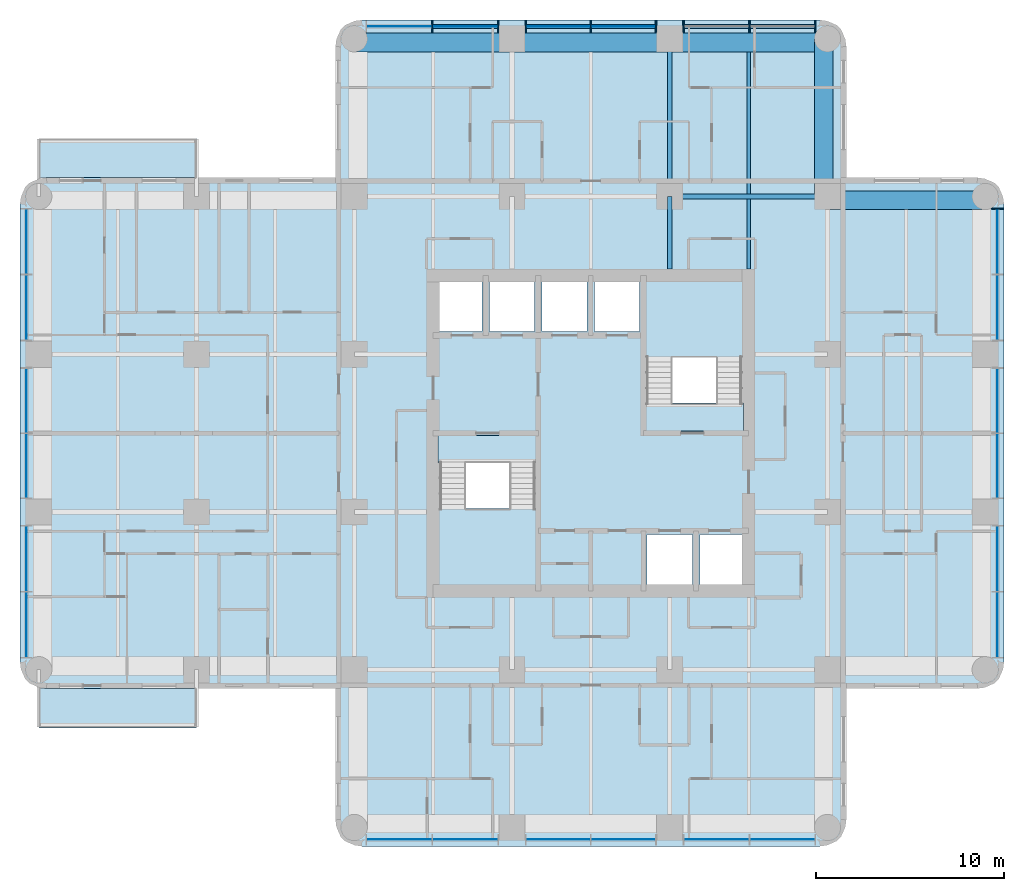
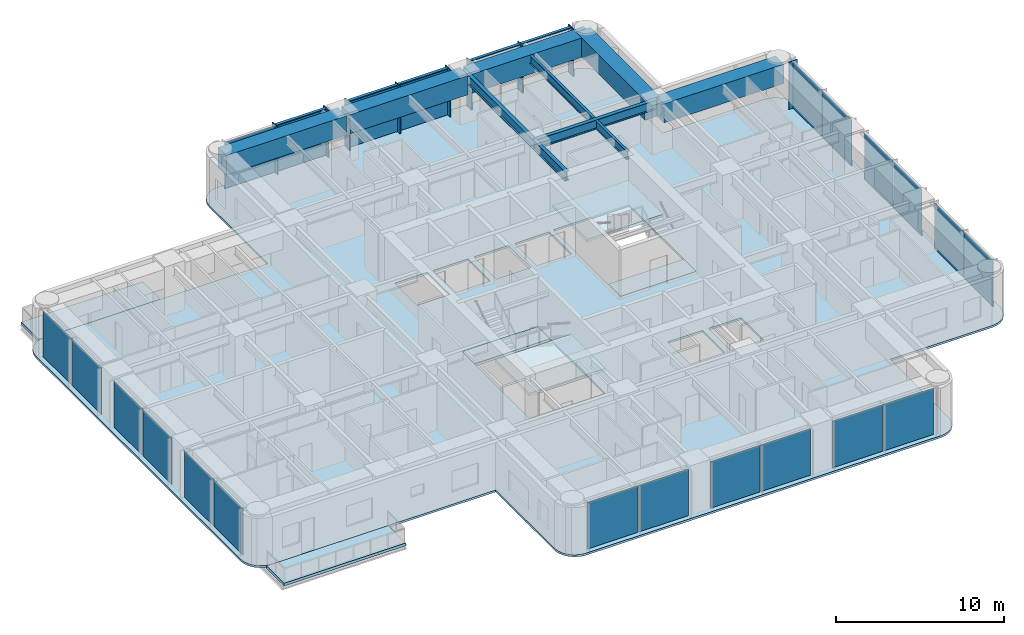
# One storey, part 3 of 11: 22 plates, 14 members, 10 beams, 7 slabs, 6 elements without a shape of their own.
"""IFC4 building model written with IfcOpenShell, lengths in metres."""

from ifc_helpers import new_model, si_unit, direction, frame, origin, origin_2d, place, context, subcontext, project, spatial, polyline, rectangle, i_section, outline, extrude, material, layer, layer_set, material_profile, profile_set, type_object, element, aggregate, save


model = new_model("IFC4")

# Units and contexts
model_context = context("Model", 3, precision=1e-05, world=origin(), true_north=direction((0.0, 1.0)))
body_context = subcontext(model_context, "Body", "Model", "MODEL_VIEW")
ifc_project = project(units=[si_unit("LENGTHUNIT", "METRE"), si_unit("AREAUNIT", "SQUARE_METRE"), si_unit("VOLUMEUNIT", "CUBIC_METRE"), si_unit("PLANEANGLEUNIT", "RADIAN"), si_unit("MASSUNIT", "GRAM", prefix="KILO")], contexts=[model_context])

# Site, building, storey
site_placement = place(None, origin())
site = spatial("IfcSite", under=ifc_project, at=site_placement, CompositionType="ELEMENT")
building_placement = place(site_placement, origin())
building = spatial("IfcBuilding", under=site, at=building_placement, Name="Torre Alcanfor", CompositionType="ELEMENT")
storey_placement = place(building_placement, frame((0.0, 0.0, 197.699951171875)))
storey = spatial("IfcBuildingStorey", under=building, at=storey_placement, Name="L51", CompositionType="ELEMENT", Elevation=197.699951171875)

# Curtain wall, member
ifc_material_1 = material(Name="Aluminium and glass", Category="aluminium")
curtain_wall_type = type_object("IfcCurtainWallType", Name="CW-A unitised apartment glazing with vertical FIN", PredefinedType="NOTDEFINED", material=ifc_material_1)
curtain_wall_1_placement = place(storey_placement, origin())
curtain_wall_1 = element("IfcCurtainWall", 1, at=curtain_wall_1_placement, inside=storey, type_object=curtain_wall_type, Name="Curtain wall CW-A L51 8", PredefinedType="NOTDEFINED")
ifc_material_2 = material(Name="Bronze anodised aluminium", Category="aluminium")
ifc_material_profile_1 = material_profile(ifc_material_2, rectangle(XDim=0.60009765625, YDim=0.06494140625, at=origin_2d()), Name="CW-A mullion 65x600")
ifc_profile_set_1 = profile_set([ifc_material_profile_1], Name="Bronze anodised aluminium")
member_type_1 = type_object("IfcMemberType", Name="CW-A mullion with vertical FIN 65x600", PredefinedType="MULLION", material=ifc_profile_set_1)
member_1_placement = place(storey_placement, frame((51.050048828125, 41.35546875, 0.0), z_axis=(0.0, 0.0, 1.0), x_axis=(-1.0, 0.0, 0.0)))
member_1 = element("IfcMember", 2, at=member_1_placement, type_object=member_type_1, Name="CW-A mullion 3.3", PredefinedType="MULLION", context=body_context, shape_type="SweptSolid", body=[
    extrude(rectangle(XDim=0.60009765625, YDim=0.06494140625, at=origin_2d()), origin(), (0.0, 0.0, 1.0), 3.449951171875),
])

# Curtain wall, members
curtain_wall_2_placement = place(storey_placement, origin())
curtain_wall_2 = element("IfcCurtainWall", 3, at=curtain_wall_2_placement, inside=storey, type_object=curtain_wall_type, Name="Curtain wall CW-A L51 11", PredefinedType="NOTDEFINED")
member_2_placement = place(storey_placement, frame((41.35546875, 51.050048828125, 0.0), z_axis=(0.0, 0.0, 1.0), x_axis=(0.0, -1.0, 0.0)))
member_2 = element("IfcMember", 4, at=member_2_placement, type_object=member_type_1, Name="CW-A mullion 1.1", PredefinedType="MULLION", context=body_context, shape_type="SweptSolid", body=[
    extrude(rectangle(XDim=0.60009765625, YDim=0.06494140625, at=origin_2d()), origin(), (0.0, 0.0, 1.0), 3.449951171875),
])
member_3_placement = place(storey_placement, frame((37.846435546875, 51.050048828125, 0.0), z_axis=(0.0, 0.0, 1.0), x_axis=(0.0, -1.0, 0.0)))
member_3 = element("IfcMember", 5, at=member_3_placement, type_object=member_type_1, Name="CW-A mullion 1.2", PredefinedType="MULLION", context=body_context, shape_type="SweptSolid", body=[
    extrude(rectangle(XDim=0.60009765625, YDim=0.06494140625, at=origin_2d()), origin(), (0.0, 0.0, 1.0), 3.449951171875),
])
member_4_placement = place(storey_placement, frame((34.33740234375, 51.050048828125, 0.0), z_axis=(0.0, 0.0, 1.0), x_axis=(0.0, -1.0, 0.0)))
member_4 = element("IfcMember", 6, at=member_4_placement, type_object=member_type_1, Name="CW-A mullion 1.3", PredefinedType="MULLION", context=body_context, shape_type="SweptSolid", body=[
    extrude(rectangle(XDim=0.60009765625, YDim=0.06494140625, at=origin_2d()), origin(), (0.0, 0.0, 1.0), 3.449951171875),
])
member_5_placement = place(storey_placement, frame((32.862548828125, 51.050048828125, 0.0), z_axis=(0.0, 0.0, 1.0), x_axis=(0.0, -1.0, 0.0)))
member_5 = element("IfcMember", 7, at=member_5_placement, type_object=member_type_1, Name="CW-A mullion 2.1", PredefinedType="MULLION", context=body_context, shape_type="SweptSolid", body=[
    extrude(rectangle(XDim=0.60009765625, YDim=0.06494140625, at=origin_2d()), origin(), (0.0, 0.0, 1.0), 3.449951171875),
])
member_6_placement = place(storey_placement, frame((29.39990234375, 51.050048828125, 0.0), z_axis=(0.0, 0.0, 1.0), x_axis=(0.0, -1.0, 0.0)))
member_6 = element("IfcMember", 8, at=member_6_placement, type_object=member_type_1, Name="CW-A mullion 2.2", PredefinedType="MULLION", context=body_context, shape_type="SweptSolid", body=[
    extrude(rectangle(XDim=0.60009765625, YDim=0.06494140625, at=origin_2d()), origin(), (0.0, 0.0, 1.0), 3.449951171875),
])
member_7_placement = place(storey_placement, frame((25.9375, 51.050048828125, 0.0), z_axis=(0.0, 0.0, 1.0), x_axis=(0.0, -1.0, 0.0)))
member_7 = element("IfcMember", 9, at=member_7_placement, type_object=member_type_1, Name="CW-A mullion 2.3", PredefinedType="MULLION", context=body_context, shape_type="SweptSolid", body=[
    extrude(rectangle(XDim=0.60009765625, YDim=0.06494140625, at=origin_2d()), origin(), (0.0, 0.0, 1.0), 3.449951171875),
])
member_8_placement = place(storey_placement, frame((24.46240234375, 51.050048828125, 0.0), z_axis=(0.0, 0.0, 1.0), x_axis=(0.0, -1.0, 0.0)))
member_8 = element("IfcMember", 10, at=member_8_placement, type_object=member_type_1, Name="CW-A mullion 3.1", PredefinedType="MULLION", context=body_context, shape_type="SweptSolid", body=[
    extrude(rectangle(XDim=0.60009765625, YDim=0.06494140625, at=origin_2d()), origin(), (0.0, 0.0, 1.0), 3.449951171875),
])
member_9_placement = place(storey_placement, frame((20.95361328125, 51.050048828125, 0.0), z_axis=(0.0, 0.0, 1.0), x_axis=(0.0, -1.0, 0.0)))
member_9 = element("IfcMember", 11, at=member_9_placement, type_object=member_type_1, Name="CW-A mullion 3.2", PredefinedType="MULLION", context=body_context, shape_type="SweptSolid", body=[
    extrude(rectangle(XDim=0.60009765625, YDim=0.06494140625, at=origin_2d()), origin(), (0.0, 0.0, 1.0), 3.449951171875),
])
ifc_material_3 = material(Name="Extruded aluminium", Category="aluminium")
ifc_material_profile_2 = material_profile(ifc_material_3, rectangle(XDim=0.199951171875, YDim=0.06494140625, at=origin_2d()), Name="CW-A transom 200x65")
ifc_profile_set_2 = profile_set([ifc_material_profile_2], Name="Extruded aluminium")
member_type_2 = type_object("IfcMemberType", Name="CW-A transom 65x200", PredefinedType="USERDEFINED", material=ifc_profile_set_2)
member_10_placement = place(storey_placement, frame((41.322998046875, 51.050048828125, 3.41748046875), z_axis=(-1.0, 0.0, 0.0), x_axis=(0.0, -1.0, 0.0)))
member_10 = element("IfcMember", 12, at=member_10_placement, type_object=member_type_2, Name="CW-A transom 1.1.2", ObjectType="TRANSOM", PredefinedType="USERDEFINED", context=body_context, shape_type="SweptSolid", body=[
    extrude(rectangle(XDim=0.199951171875, YDim=0.06494140625, at=origin_2d()), origin(), (0.0, 0.0, 1.0), 3.444091796875),
])
member_11_placement = place(storey_placement, frame((37.81396484375, 51.050048828125, 3.41748046875), z_axis=(-1.0, 0.0, 0.0), x_axis=(0.0, -1.0, 0.0)))
member_11 = element("IfcMember", 13, at=member_11_placement, type_object=member_type_2, Name="CW-A transom 1.2.2", ObjectType="TRANSOM", PredefinedType="USERDEFINED", context=body_context, shape_type="SweptSolid", body=[
    extrude(rectangle(XDim=0.199951171875, YDim=0.06494140625, at=origin_2d()), origin(), (0.0, 0.0, 1.0), 3.44384765625),
])
member_12_placement = place(storey_placement, frame((32.830078125, 51.050048828125, 3.41748046875), z_axis=(-1.0, 0.0, 0.0), x_axis=(0.0, -1.0, 0.0)))
member_12 = element("IfcMember", 14, at=member_12_placement, type_object=member_type_2, Name="CW-A transom 2.1.2", ObjectType="TRANSOM", PredefinedType="USERDEFINED", context=body_context, shape_type="SweptSolid", body=[
    extrude(rectangle(XDim=0.199951171875, YDim=0.06494140625, at=origin_2d()), origin(), (0.0, 0.0, 1.0), 3.3974609375),
])
member_13_placement = place(storey_placement, frame((29.367431640625, 51.050048828125, 3.41748046875), z_axis=(-1.0, 0.0, 0.0), x_axis=(0.0, -1.0, 0.0)))
member_13 = element("IfcMember", 15, at=member_13_placement, type_object=member_type_2, Name="CW-A transom 2.2.2", ObjectType="TRANSOM", PredefinedType="USERDEFINED", context=body_context, shape_type="SweptSolid", body=[
    extrude(rectangle(XDim=0.199951171875, YDim=0.06494140625, at=origin_2d()), origin(), (0.0, 0.0, 1.0), 3.3974609375),
])
member_14_placement = place(storey_placement, frame((24.429931640625, 51.050048828125, 3.41748046875), z_axis=(-1.0, 0.0, 0.0), x_axis=(0.0, -1.0, 0.0)))
member_14 = element("IfcMember", 16, at=member_14_placement, type_object=member_type_2, Name="CW-A transom 3.1.2", ObjectType="TRANSOM", PredefinedType="USERDEFINED", context=body_context, shape_type="SweptSolid", body=[
    extrude(rectangle(XDim=0.199951171875, YDim=0.06494140625, at=origin_2d()), origin(), (0.0, 0.0, 1.0), 3.44384765625),
])

# Beams
ifc_material_4 = material(Name="Steel ASTM A992 Grade 50", Category="steel")
ifc_material_profile_3 = material_profile(ifc_material_4, i_section(OverallWidth=0.25390625, OverallDepth=0.683349609375, WebThickness=0.012451171875, FlangeThickness=0.01904296875, at=origin_2d()), Name="W27x94")
ifc_profile_set_3 = profile_set([ifc_material_profile_3], Name="Steel ASTM A992 Grade 50")
beam_type_1 = type_object("IfcBeamType", Name="Girder W27x94", PredefinedType="BEAM", material=ifc_profile_set_3)
for number, where, z_axis, x_axis, name in (
    (17, (33.60009765625, 42.0, 3.1083984375), (1.0, 0.0, 0.0), (0.0, 1.0, 0.0), "Beam 5H-6H under L52"),
    (18, (33.60009765625, 42.0, 3.1083984375), (0.0, 1.0, 0.0), (-1.0, 0.0, 0.0), "Beam 5H-5J under L52"),
):
    element("IfcBeam", number, at=place(storey_placement, frame(where, z_axis=z_axis, x_axis=x_axis)), inside=storey, type_object=beam_type_1, Name=name, PredefinedType="BEAM", context=body_context, shape_type="SweptSolid", body=[
        extrude(i_section(OverallWidth=0.25390625, OverallDepth=0.683349609375, WebThickness=0.012451171875, FlangeThickness=0.01904296875, at=origin_2d()), origin(), (0.0, 0.0, 1.0), 8.39990234375),
    ])
ifc_material_5 = material(Name="Steel ASTM A992 Grade 50", Category="steel")
ifc_material_profile_4 = material_profile(ifc_material_5, i_section(OverallWidth=0.25390625, OverallDepth=0.683349609375, WebThickness=0.012451171875, FlangeThickness=0.01904296875, at=origin_2d()), Name="W27x94")
ifc_profile_set_4 = profile_set([ifc_material_profile_4], Name="Steel ASTM A992 Grade 50")
beam_type_2 = type_object("IfcBeamType", Name="Girder, part bay W27x94", PredefinedType="BEAM", material=ifc_profile_set_4)
beam_1_placement = place(storey_placement, frame((33.60009765625, 42.0, 3.1083984375), z_axis=(0.0, -1.0, 0.0), x_axis=(1.0, 0.0, 0.0)))
element("IfcBeam", 19, at=beam_1_placement, inside=storey, type_object=beam_type_2, Name="Beam 5H-538_15 under L52", PredefinedType="BEAM", context=body_context, shape_type="SweptSolid", body=[
    extrude(i_section(OverallWidth=0.25390625, OverallDepth=0.683349609375, WebThickness=0.012451171875, FlangeThickness=0.01904296875, at=origin_2d()), origin(), (0.0, 0.0, 1.0), 3.85009765625),
])
ifc_material_6 = material(Name="Concrete f'c 70 MPa", Category="concrete")
ifc_material_profile_5 = material_profile(ifc_material_6, rectangle(XDim=1.0, YDim=1.39990234375, at=origin_2d()), Name="1000x1400")
ifc_profile_set_5 = profile_set([ifc_material_profile_5], Name="Concrete f'c 70 MPa")
beam_type_3 = type_object("IfcBeamType", Name="RC perimeter beam 1000x1400", PredefinedType="BEAM", material=ifc_profile_set_5)
for number, where, z_axis, x_axis, name in (
    (20, (42.126953125, 41.800048828125, 2.75), (1.0, 0.0, 0.0), (0.0, 1.0, 0.0), "Beam 6H-7H under L52"),
    (21, (16.800048828125, 50.199951171875, 2.75), (1.0, 0.0, 0.0), (0.0, 1.0, 0.0), "Beam 3J-4J under L52"),
):
    element("IfcBeam", number, at=place(storey_placement, frame(where, z_axis=z_axis, x_axis=x_axis)), inside=storey, type_object=beam_type_3, Name=name, PredefinedType="BEAM", context=body_context, shape_type="SweptSolid", body=[
        extrude(rectangle(XDim=1.0, YDim=1.39990234375, at=origin_2d()), origin(), (0.0, 0.0, 1.0), 8.27294921875),
    ])
beam_2_placement = place(storey_placement, frame((25.326904296875, 50.199951171875, 2.75), z_axis=(1.0, 0.0, 0.0), x_axis=(0.0, 1.0, 0.0)))
element("IfcBeam", 22, at=beam_2_placement, inside=storey, type_object=beam_type_3, Name="Beam 4J-5J under L52", PredefinedType="BEAM", context=body_context, shape_type="SweptSolid", body=[
    extrude(rectangle(XDim=1.0, YDim=1.39990234375, at=origin_2d()), origin(), (0.0, 0.0, 1.0), 8.14599609375),
])
for number, where, z_axis, x_axis, name in (
    (23, (33.72705078125, 50.199951171875, 2.75), (1.0, 0.0, 0.0), (0.0, 1.0, 0.0), "Beam 5J-6J under L52"),
    (24, (41.800048828125, 42.126953125, 2.75), (0.0, 1.0, 0.0), (-1.0, 0.0, 0.0), "Beam 6H-6J under L52"),
):
    element("IfcBeam", number, at=place(storey_placement, frame(where, z_axis=z_axis, x_axis=x_axis)), inside=storey, type_object=beam_type_3, Name=name, PredefinedType="BEAM", context=body_context, shape_type="SweptSolid", body=[
        extrude(rectangle(XDim=1.0, YDim=1.39990234375, at=origin_2d()), origin(), (0.0, 0.0, 1.0), 8.27294921875),
    ])
ifc_material_7 = material(Name="Steel ASTM A992 Grade 50", Category="steel")
ifc_material_profile_6 = material_profile(ifc_material_7, i_section(OverallWidth=0.1787109375, OverallDepth=0.60205078125, WebThickness=0.010986328125, FlangeThickness=0.014892578125, at=origin_2d()), Name="W24x62")
ifc_profile_set_6 = profile_set([ifc_material_profile_6], Name="Steel ASTM A992 Grade 50")
beam_type_4 = type_object("IfcBeamType", Name="Secondary beam W24x62", PredefinedType="BEAM", material=ifc_profile_set_6)
beam_3_placement = place(storey_placement, frame((37.800048828125, 42.126953125, 3.149169921875), z_axis=(0.0, 1.0, 0.0), x_axis=(-1.0, 0.0, 0.0)))
element("IfcBeam", 25, at=beam_3_placement, inside=storey, type_object=beam_type_4, Name="Beam 37_8H-37_8J under L52", PredefinedType="BEAM", context=body_context, shape_type="SweptSolid", body=[
    extrude(i_section(OverallWidth=0.1787109375, OverallDepth=0.60205078125, WebThickness=0.010986328125, FlangeThickness=0.014892578125, at=origin_2d()), origin(), (0.0, 0.0, 1.0), 7.572998046875),
])
ifc_material_8 = material(Name="Steel ASTM A992 Grade 50", Category="steel")
ifc_material_profile_7 = material_profile(ifc_material_8, i_section(OverallWidth=0.1787109375, OverallDepth=0.60205078125, WebThickness=0.010986328125, FlangeThickness=0.014892578125, at=origin_2d()), Name="W24x62")
ifc_profile_set_7 = profile_set([ifc_material_profile_7], Name="Steel ASTM A992 Grade 50")
beam_type_5 = type_object("IfcBeamType", Name="Secondary beam, part bay W24x62", PredefinedType="BEAM", material=ifc_profile_set_7)
beam_4_placement = place(storey_placement, frame((37.800048828125, 38.14990234375, 3.149169921875), z_axis=(0.0, 1.0, 0.0), x_axis=(-1.0, 0.0, 0.0)))
element("IfcBeam", 26, at=beam_4_placement, inside=storey, type_object=beam_type_5, Name="Beam 37_838_15-37_8H under L52", PredefinedType="BEAM", context=body_context, shape_type="SweptSolid", body=[
    extrude(i_section(OverallWidth=0.1787109375, OverallDepth=0.60205078125, WebThickness=0.010986328125, FlangeThickness=0.014892578125, at=origin_2d()), origin(), (0.0, 0.0, 1.0), 3.72314453125),
])

# Slabs
ifc_material_9 = material(Name="Concrete f'c 35 MPa", Category="concrete")
ifc_layer_1 = layer(ifc_material_9, 0.199951171875)
ifc_layer_set_1 = layer_set([ifc_layer_1], Name="Balcony slab 200")
slab_type_1 = type_object("IfcSlabType", Name="Balcony slab 200", PredefinedType="FLOOR", material=ifc_layer_set_1)
slab_1_placement = place(storey_placement, frame((0.0, 0.0, -0.199951171875)))
element("IfcSlab", 27, at=slab_1_placement, inside=storey, type_object=slab_type_1, Name="Balcony L51-W1", PredefinedType="FLOOR", context=body_context, shape_type="SweptSolid", body=[
    extrude(outline(polyline([(8.39990234375, 15.800048828125), (0.0, 15.800048828125), (0.0, 13.699951171875), (8.39990234375, 13.699951171875), (8.39990234375, 15.800048828125)])), origin(), (0.0, 0.0, 1.0), 0.199951171875),
])
slab_2_placement = place(storey_placement, frame((0.0, 0.0, -0.199951171875)))
element("IfcSlab", 28, at=slab_2_placement, inside=storey, type_object=slab_type_1, Name="Balcony L51-W2", PredefinedType="FLOOR", context=body_context, shape_type="SweptSolid", body=[
    extrude(outline(polyline([(8.39990234375, 45.10009765625), (0.0, 45.10009765625), (0.0, 43.0), (8.39990234375, 43.0), (8.39990234375, 45.10009765625)])), origin(), (0.0, 0.0, 1.0), 0.199951171875),
])

# Curtain wall, plates
curtain_wall_3_placement = place(storey_placement, origin())
curtain_wall_3 = element("IfcCurtainWall", 29, at=curtain_wall_3_placement, inside=storey, type_object=curtain_wall_type, Name="Curtain wall CW-A L51 2", PredefinedType="NOTDEFINED")
ifc_material_10 = material(Name="Glass", Category="glass")
ifc_layer_2 = layer(ifc_material_10, 0.028076171875)
ifc_layer_set_2 = layer_set([ifc_layer_2], Name="CW-A clear double glazed unit")
plate_type = type_object("IfcPlateType", Name="CW-A clear double glazed unit", PredefinedType="CURTAIN_PANEL", material=ifc_layer_set_2)
plate_1_placement = place(storey_placement, frame((-0.64990234375, 39.60107421875, 0.0), z_axis=(0.0, 0.0, 1.0), x_axis=(0.0, -1.0, 0.0)))
plate_1 = element("IfcPlate", 30, at=plate_1_placement, type_object=plate_type, Name="CW-A panel 1.1.1", PredefinedType="CURTAIN_PANEL", context=body_context, shape_type="SweptSolid", body=[
    extrude(rectangle(XDim=3.444091796875, YDim=0.028076171875, at=origin_2d()), origin(), (0.0, 0.0, 1.0), 3.385009765625),
])
plate_2_placement = place(storey_placement, frame((-0.64990234375, 36.092041015625, 0.0), z_axis=(0.0, 0.0, 1.0), x_axis=(0.0, -1.0, 0.0)))
plate_2 = element("IfcPlate", 31, at=plate_2_placement, type_object=plate_type, Name="CW-A panel 1.2.1", PredefinedType="CURTAIN_PANEL", context=body_context, shape_type="SweptSolid", body=[
    extrude(rectangle(XDim=3.444091796875, YDim=0.028076171875, at=origin_2d()), origin(), (0.0, 0.0, 1.0), 3.385009765625),
])
plate_3_placement = place(storey_placement, frame((-0.64990234375, 31.13134765625, 0.0), z_axis=(0.0, 0.0, 1.0), x_axis=(0.0, -1.0, 0.0)))
plate_3 = element("IfcPlate", 32, at=plate_3_placement, type_object=plate_type, Name="CW-A panel 2.1.1", PredefinedType="CURTAIN_PANEL", context=body_context, shape_type="SweptSolid", body=[
    extrude(rectangle(XDim=3.3974609375, YDim=0.028076171875, at=origin_2d()), origin(), (0.0, 0.0, 1.0), 3.385009765625),
])
plate_4_placement = place(storey_placement, frame((-0.64990234375, 27.668701171875, 0.0), z_axis=(0.0, 0.0, 1.0), x_axis=(0.0, -1.0, 0.0)))
plate_4 = element("IfcPlate", 33, at=plate_4_placement, type_object=plate_type, Name="CW-A panel 2.2.1", PredefinedType="CURTAIN_PANEL", context=body_context, shape_type="SweptSolid", body=[
    extrude(rectangle(XDim=3.3974609375, YDim=0.028076171875, at=origin_2d()), origin(), (0.0, 0.0, 1.0), 3.385009765625),
])
plate_5_placement = place(storey_placement, frame((-0.64990234375, 22.7080078125, 0.0), z_axis=(0.0, 0.0, 1.0), x_axis=(0.0, -1.0, 0.0)))
plate_5 = element("IfcPlate", 34, at=plate_5_placement, type_object=plate_type, Name="CW-A panel 3.1.1", PredefinedType="CURTAIN_PANEL", context=body_context, shape_type="SweptSolid", body=[
    extrude(rectangle(XDim=3.444091796875, YDim=0.028076171875, at=origin_2d()), origin(), (0.0, 0.0, 1.0), 3.385009765625),
])
plate_6_placement = place(storey_placement, frame((-0.64990234375, 19.198974609375, 0.0), z_axis=(0.0, 0.0, 1.0), x_axis=(0.0, -1.0, 0.0)))
plate_6 = element("IfcPlate", 35, at=plate_6_placement, type_object=plate_type, Name="CW-A panel 3.2.1", PredefinedType="CURTAIN_PANEL", context=body_context, shape_type="SweptSolid", body=[
    extrude(rectangle(XDim=3.444091796875, YDim=0.028076171875, at=origin_2d()), origin(), (0.0, 0.0, 1.0), 3.385009765625),
])
aggregate(curtain_wall_3, [plate_1, plate_2, plate_3, plate_4, plate_5, plate_6])

curtain_wall_4_placement = place(storey_placement, origin())
curtain_wall_4 = element("IfcCurtainWall", 36, at=curtain_wall_4_placement, inside=storey, type_object=curtain_wall_type, Name="Curtain wall CW-A L51 5", PredefinedType="NOTDEFINED")
plate_7_placement = place(storey_placement, frame((19.198974609375, 7.75, 0.0), z_axis=(0.0, 0.0, 1.0), x_axis=(1.0, 0.0, 0.0)))
plate_7 = element("IfcPlate", 37, at=plate_7_placement, type_object=plate_type, Name="CW-A panel 1.1.1", PredefinedType="CURTAIN_PANEL", context=body_context, shape_type="SweptSolid", body=[
    extrude(rectangle(XDim=3.444091796875, YDim=0.028076171875, at=origin_2d()), origin(), (0.0, 0.0, 1.0), 3.385009765625),
])
plate_8_placement = place(storey_placement, frame((22.7080078125, 7.75, 0.0), z_axis=(0.0, 0.0, 1.0), x_axis=(1.0, 0.0, 0.0)))
plate_8 = element("IfcPlate", 38, at=plate_8_placement, type_object=plate_type, Name="CW-A panel 1.2.1", PredefinedType="CURTAIN_PANEL", context=body_context, shape_type="SweptSolid", body=[
    extrude(rectangle(XDim=3.444091796875, YDim=0.028076171875, at=origin_2d()), origin(), (0.0, 0.0, 1.0), 3.385009765625),
])
plate_9_placement = place(storey_placement, frame((27.668701171875, 7.75, 0.0), z_axis=(0.0, 0.0, 1.0), x_axis=(1.0, 0.0, 0.0)))
plate_9 = element("IfcPlate", 39, at=plate_9_placement, type_object=plate_type, Name="CW-A panel 2.1.1", PredefinedType="CURTAIN_PANEL", context=body_context, shape_type="SweptSolid", body=[
    extrude(rectangle(XDim=3.3974609375, YDim=0.028076171875, at=origin_2d()), origin(), (0.0, 0.0, 1.0), 3.385009765625),
])
plate_10_placement = place(storey_placement, frame((31.13134765625, 7.75, 0.0), z_axis=(0.0, 0.0, 1.0), x_axis=(1.0, 0.0, 0.0)))
plate_10 = element("IfcPlate", 40, at=plate_10_placement, type_object=plate_type, Name="CW-A panel 2.2.1", PredefinedType="CURTAIN_PANEL", context=body_context, shape_type="SweptSolid", body=[
    extrude(rectangle(XDim=3.3974609375, YDim=0.028076171875, at=origin_2d()), origin(), (0.0, 0.0, 1.0), 3.385009765625),
])
plate_11_placement = place(storey_placement, frame((36.092041015625, 7.75, 0.0), z_axis=(0.0, 0.0, 1.0), x_axis=(1.0, 0.0, 0.0)))
plate_11 = element("IfcPlate", 41, at=plate_11_placement, type_object=plate_type, Name="CW-A panel 3.1.1", PredefinedType="CURTAIN_PANEL", context=body_context, shape_type="SweptSolid", body=[
    extrude(rectangle(XDim=3.444091796875, YDim=0.028076171875, at=origin_2d()), origin(), (0.0, 0.0, 1.0), 3.385009765625),
])
plate_12_placement = place(storey_placement, frame((39.60107421875, 7.75, 0.0), z_axis=(0.0, 0.0, 1.0), x_axis=(1.0, 0.0, 0.0)))
plate_12 = element("IfcPlate", 42, at=plate_12_placement, type_object=plate_type, Name="CW-A panel 3.2.1", PredefinedType="CURTAIN_PANEL", context=body_context, shape_type="SweptSolid", body=[
    extrude(rectangle(XDim=3.444091796875, YDim=0.028076171875, at=origin_2d()), origin(), (0.0, 0.0, 1.0), 3.385009765625),
])
aggregate(curtain_wall_4, [plate_7, plate_8, plate_9, plate_10, plate_11, plate_12])

# Plate
plate_13_placement = place(storey_placement, frame((51.050048828125, 19.198974609375, 0.0), z_axis=(0.0, 0.0, 1.0), x_axis=(0.0, 1.0, 0.0)))
plate_13 = element("IfcPlate", 43, at=plate_13_placement, type_object=plate_type, Name="CW-A panel 1.1.1", PredefinedType="CURTAIN_PANEL", context=body_context, shape_type="SweptSolid", body=[
    extrude(rectangle(XDim=3.444091796875, YDim=0.028076171875, at=origin_2d()), origin(), (0.0, 0.0, 1.0), 3.385009765625),
])

plate_14_placement = place(storey_placement, frame((51.050048828125, 22.7080078125, 0.0), z_axis=(0.0, 0.0, 1.0), x_axis=(0.0, 1.0, 0.0)))
plate_14 = element("IfcPlate", 44, at=plate_14_placement, type_object=plate_type, Name="CW-A panel 1.2.1", PredefinedType="CURTAIN_PANEL", context=body_context, shape_type="SweptSolid", body=[
    extrude(rectangle(XDim=3.444091796875, YDim=0.028076171875, at=origin_2d()), origin(), (0.0, 0.0, 1.0), 3.385009765625),
])

plate_15_placement = place(storey_placement, frame((51.050048828125, 27.668701171875, 0.0), z_axis=(0.0, 0.0, 1.0), x_axis=(0.0, 1.0, 0.0)))
plate_15 = element("IfcPlate", 45, at=plate_15_placement, type_object=plate_type, Name="CW-A panel 2.1.1", PredefinedType="CURTAIN_PANEL", context=body_context, shape_type="SweptSolid", body=[
    extrude(rectangle(XDim=3.3974609375, YDim=0.028076171875, at=origin_2d()), origin(), (0.0, 0.0, 1.0), 3.385009765625),
])

plate_16_placement = place(storey_placement, frame((51.050048828125, 31.13134765625, 0.0), z_axis=(0.0, 0.0, 1.0), x_axis=(0.0, 1.0, 0.0)))
plate_16 = element("IfcPlate", 46, at=plate_16_placement, type_object=plate_type, Name="CW-A panel 2.2.1", PredefinedType="CURTAIN_PANEL", context=body_context, shape_type="SweptSolid", body=[
    extrude(rectangle(XDim=3.3974609375, YDim=0.028076171875, at=origin_2d()), origin(), (0.0, 0.0, 1.0), 3.385009765625),
])

plate_17_placement = place(storey_placement, frame((51.050048828125, 36.092041015625, 0.0), z_axis=(0.0, 0.0, 1.0), x_axis=(0.0, 1.0, 0.0)))
plate_17 = element("IfcPlate", 47, at=plate_17_placement, type_object=plate_type, Name="CW-A panel 3.1.1", PredefinedType="CURTAIN_PANEL", context=body_context, shape_type="SweptSolid", body=[
    extrude(rectangle(XDim=3.444091796875, YDim=0.028076171875, at=origin_2d()), origin(), (0.0, 0.0, 1.0), 3.385009765625),
])

plate_18_placement = place(storey_placement, frame((51.050048828125, 39.60107421875, 0.0), z_axis=(0.0, 0.0, 1.0), x_axis=(0.0, 1.0, 0.0)))
plate_18 = element("IfcPlate", 48, at=plate_18_placement, type_object=plate_type, Name="CW-A panel 3.2.1", PredefinedType="CURTAIN_PANEL", context=body_context, shape_type="SweptSolid", body=[
    extrude(rectangle(XDim=3.444091796875, YDim=0.028076171875, at=origin_2d()), origin(), (0.0, 0.0, 1.0), 3.385009765625),
])

aggregate(curtain_wall_1, [plate_13, plate_14, plate_15, plate_16, member_1, plate_17, plate_18])

plate_19_placement = place(storey_placement, frame((31.13134765625, 51.050048828125, 0.0), z_axis=(0.0, 0.0, 1.0), x_axis=(-1.0, 0.0, 0.0)))
plate_19 = element("IfcPlate", 49, at=plate_19_placement, type_object=plate_type, Name="CW-A panel 2.1.1", PredefinedType="CURTAIN_PANEL", context=body_context, shape_type="SweptSolid", body=[
    extrude(rectangle(XDim=3.3974609375, YDim=0.028076171875, at=origin_2d()), origin(), (0.0, 0.0, 1.0), 3.385009765625),
])

plate_20_placement = place(storey_placement, frame((27.668701171875, 51.050048828125, 0.0), z_axis=(0.0, 0.0, 1.0), x_axis=(-1.0, 0.0, 0.0)))
plate_20 = element("IfcPlate", 50, at=plate_20_placement, type_object=plate_type, Name="CW-A panel 2.2.1", PredefinedType="CURTAIN_PANEL", context=body_context, shape_type="SweptSolid", body=[
    extrude(rectangle(XDim=3.3974609375, YDim=0.028076171875, at=origin_2d()), origin(), (0.0, 0.0, 1.0), 3.385009765625),
])

plate_21_placement = place(storey_placement, frame((22.7080078125, 51.050048828125, 0.0), z_axis=(0.0, 0.0, 1.0), x_axis=(-1.0, 0.0, 0.0)))
plate_21 = element("IfcPlate", 51, at=plate_21_placement, type_object=plate_type, Name="CW-A panel 3.1.1", PredefinedType="CURTAIN_PANEL", context=body_context, shape_type="SweptSolid", body=[
    extrude(rectangle(XDim=3.444091796875, YDim=0.028076171875, at=origin_2d()), origin(), (0.0, 0.0, 1.0), 3.385009765625),
])

plate_22_placement = place(storey_placement, frame((19.198974609375, 51.050048828125, 0.0), z_axis=(0.0, 0.0, 1.0), x_axis=(-1.0, 0.0, 0.0)))
plate_22 = element("IfcPlate", 52, at=plate_22_placement, type_object=plate_type, Name="CW-A panel 3.2.1", PredefinedType="CURTAIN_PANEL", context=body_context, shape_type="SweptSolid", body=[
    extrude(rectangle(XDim=3.444091796875, YDim=0.028076171875, at=origin_2d()), origin(), (0.0, 0.0, 1.0), 3.385009765625),
])

aggregate(curtain_wall_2, [member_2, member_3, member_4, member_10, member_11, member_5, member_6, member_7, member_12, plate_19, member_13, plate_20, member_8, member_9, member_14, plate_21, plate_22])

# Slab
ifc_material_11 = material(Name="Concrete f'c 35 MPa", Category="concrete")
ifc_layer_3 = layer(ifc_material_11, 0.14990234375)
ifc_layer_set_3 = layer_set([ifc_layer_3], Name="Composite floor 150 on metal deck")
slab_type_2 = type_object("IfcSlabType", Name="Composite floor 150 on metal deck", PredefinedType="FLOOR", material=ifc_layer_set_3)
slab_3_placement = place(storey_placement, frame((0.0, 0.0, -0.14990234375)))
element("IfcSlab", 53, at=slab_3_placement, inside=storey, type_object=slab_type_2, Name="Floor slab L51", PredefinedType="FLOOR", context=body_context, shape_type="SweptSolid", body=[
    extrude(outline(polyline([(15.800048828125, 43.0), (0.39990234375, 43.0), (0.03759765625, 42.952392578125), (-0.300048828125, 42.8125), (-0.58984375, 42.58984375), (-0.8125, 42.300048828125), (-0.952392578125, 41.96240234375), (-1.0, 41.60009765625), (-1.0, 17.199951171875), (-0.952392578125, 16.837646484375), (-0.8125, 16.5), (-0.58984375, 16.210205078125), (-0.300048828125, 15.987548828125), (0.03759765625, 15.84765625), (0.39990234375, 15.800048828125), (15.800048828125, 15.800048828125), (15.800048828125, 8.800048828125), (15.84765625, 8.437744140625), (15.987548828125, 8.10009765625), (16.210205078125, 7.81005859375), (16.5, 7.587646484375), (16.837646484375, 7.44775390625), (17.199951171875, 7.39990234375), (41.60009765625, 7.39990234375), (41.96240234375, 7.44775390625), (42.300048828125, 7.587646484375), (42.58984375, 7.81005859375), (42.8125, 8.10009765625), (42.952392578125, 8.437744140625), (43.0, 8.800048828125), (43.0, 15.800048828125), (50.0, 15.800048828125), (50.3623046875, 15.84765625), (50.699951171875, 15.987548828125), (50.989990234375, 16.210205078125), (51.21240234375, 16.5), (51.352294921875, 16.837646484375), (51.39990234375, 17.199951171875), (51.39990234375, 41.60009765625), (51.352294921875, 41.96240234375), (51.21240234375, 42.300048828125), (50.989990234375, 42.58984375), (50.699951171875, 42.8125), (50.3623046875, 42.952392578125), (50.0, 43.0), (43.0, 43.0), (43.0, 50.0), (42.952392578125, 50.3623046875), (42.8125, 50.699951171875), (42.58984375, 50.989990234375), (42.300048828125, 51.21240234375), (41.96240234375, 51.352294921875), (41.60009765625, 51.39990234375), (17.199951171875, 51.39990234375), (16.837646484375, 51.352294921875), (16.5, 51.21240234375), (16.210205078125, 50.989990234375), (15.987548828125, 50.699951171875), (15.84765625, 50.3623046875), (15.800048828125, 50.0), (15.800048828125, 43.0)]), holes=[polyline([(21.27001953125, 21.27001953125), (26.47998046875, 21.27001953125), (26.47998046875, 29.280029296875), (21.27001953125, 29.280029296875), (21.27001953125, 21.27001953125)]), polyline([(32.320068359375, 29.52001953125), (37.530029296875, 29.52001953125), (37.530029296875, 37.530029296875), (32.320068359375, 37.530029296875), (32.320068359375, 29.52001953125)]), polyline([(32.39990234375, 21.35009765625), (34.800048828125, 21.35009765625), (34.800048828125, 24.0), (32.39990234375, 24.0), (32.39990234375, 21.35009765625)]), polyline([(35.199951171875, 21.35009765625), (37.449951171875, 21.35009765625), (37.449951171875, 24.0), (35.199951171875, 24.0), (35.199951171875, 21.35009765625)]), polyline([(21.35009765625, 34.800048828125), (23.60009765625, 34.800048828125), (23.60009765625, 37.449951171875), (21.35009765625, 37.449951171875), (21.35009765625, 34.800048828125)]), polyline([(24.0, 34.800048828125), (26.39990234375, 34.800048828125), (26.39990234375, 37.449951171875), (24.0, 37.449951171875), (24.0, 34.800048828125)]), polyline([(26.800048828125, 34.800048828125), (29.199951171875, 34.800048828125), (29.199951171875, 37.449951171875), (26.800048828125, 37.449951171875), (26.800048828125, 34.800048828125)]), polyline([(29.60009765625, 34.800048828125), (32.0, 34.800048828125), (32.0, 37.449951171875), (29.60009765625, 37.449951171875), (29.60009765625, 34.800048828125)])]), origin(), (0.0, 0.0, 1.0), 0.14990234375),
])

# Stair, slabs
ifc_material_12 = material(Name="Concrete f'c 35 MPa", Category="concrete")
stair_type_1 = type_object("IfcStairType", Name="Exit stair S1 1400 wide", PredefinedType="HALF_TURN_STAIR", material=ifc_material_12)
stair_1_placement = place(storey_placement, origin())
stair_1 = element("IfcStair", 54, at=stair_1_placement, inside=storey, type_object=stair_type_1, Name="Stair S1 L51 to L52", PredefinedType="HALF_TURN_STAIR")
ifc_material_13 = material(Name="Concrete f'c 35 MPa", Category="concrete")
ifc_layer_4 = layer(ifc_material_13, 0.199951171875)
ifc_layer_set_4 = layer_set([ifc_layer_4], Name="Stair landing 200")
slab_type_3 = type_object("IfcSlabType", Name="Stair landing 200", PredefinedType="LANDING", material=ifc_layer_set_4)
slab_4_placement = place(storey_placement, frame((0.0, 0.0, -0.199951171875)))
slab_4 = element("IfcSlab", 55, at=slab_4_placement, type_object=slab_type_3, Name="S1 landing 1", PredefinedType="LANDING", context=body_context, shape_type="SweptSolid", body=[
    extrude(outline(polyline([(21.27001953125, 27.800048828125), (26.47998046875, 27.800048828125), (26.47998046875, 29.280029296875), (21.27001953125, 29.280029296875), (21.27001953125, 27.800048828125)])), origin(), (0.0, 0.0, 1.0), 0.199951171875),
])
slab_5_placement = place(storey_placement, frame((0.0, 0.0, 1.60009765625)))
slab_5 = element("IfcSlab", 56, at=slab_5_placement, type_object=slab_type_3, Name="S1 landing 2", PredefinedType="LANDING", context=body_context, shape_type="SweptSolid", body=[
    extrude(outline(polyline([(21.27001953125, 21.27001953125), (26.530029296875, 21.27001953125), (26.530029296875, 25.3798828125), (21.27001953125, 25.3798828125), (21.27001953125, 21.27001953125)])), origin(), (0.0, 0.0, 1.0), 0.199951171875),
])
aggregate(stair_1, [slab_4, slab_5])

ifc_material_14 = material(Name="Concrete f'c 35 MPa", Category="concrete")
stair_type_2 = type_object("IfcStairType", Name="Exit stair S2 1400 wide", PredefinedType="HALF_TURN_STAIR", material=ifc_material_14)
stair_2_placement = place(storey_placement, origin())
stair_2 = element("IfcStair", 57, at=stair_2_placement, inside=storey, type_object=stair_type_2, Name="Stair S2 L51 to L52", PredefinedType="HALF_TURN_STAIR")
slab_6_placement = place(storey_placement, frame((0.0, 0.0, -0.199951171875)))
slab_6 = element("IfcSlab", 58, at=slab_6_placement, type_object=slab_type_3, Name="S2 landing 1", PredefinedType="LANDING", context=body_context, shape_type="SweptSolid", body=[
    extrude(outline(polyline([(32.320068359375, 29.52001953125), (37.530029296875, 29.52001953125), (37.530029296875, 31.0), (32.320068359375, 31.0), (32.320068359375, 29.52001953125)])), origin(), (0.0, 0.0, 1.0), 0.199951171875),
])
slab_7_placement = place(storey_placement, frame((0.0, 0.0, 1.60009765625)))
slab_7 = element("IfcSlab", 59, at=slab_7_placement, type_object=slab_type_3, Name="S2 landing 2", PredefinedType="LANDING", context=body_context, shape_type="SweptSolid", body=[
    extrude(outline(polyline([(32.27001953125, 33.419921875), (37.530029296875, 33.419921875), (37.530029296875, 37.530029296875), (32.27001953125, 37.530029296875), (32.27001953125, 33.419921875)])), origin(), (0.0, 0.0, 1.0), 0.199951171875),
])
aggregate(stair_2, [slab_6, slab_7])

save(model, "model.ifc")
